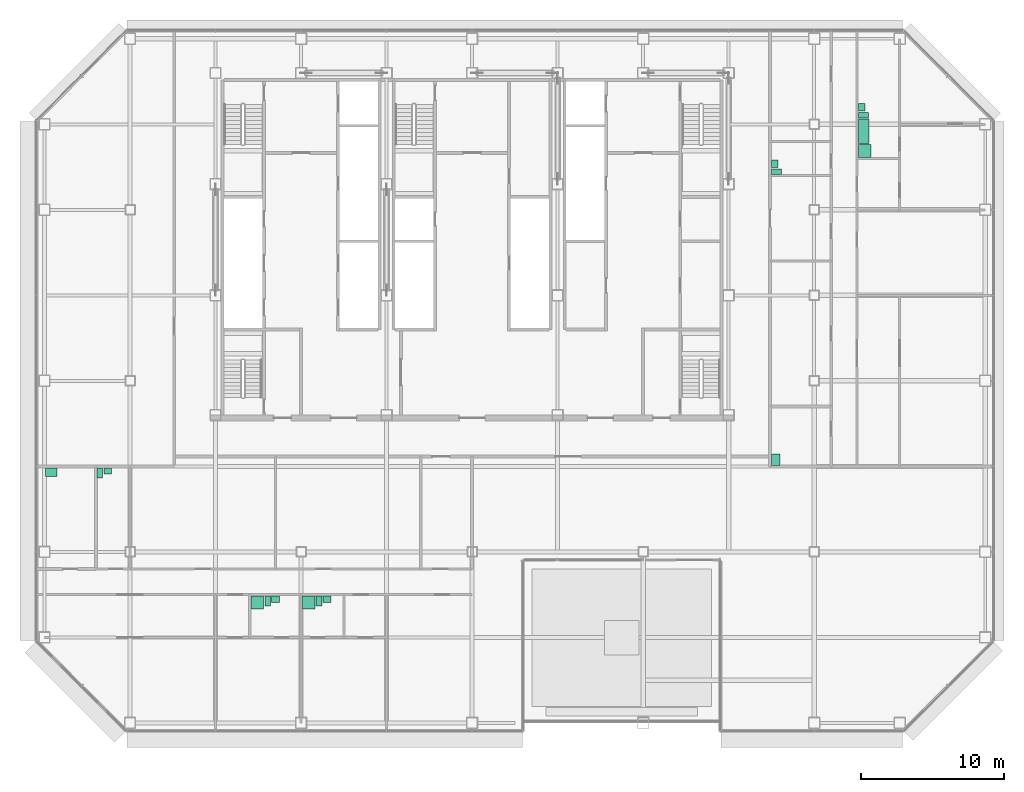
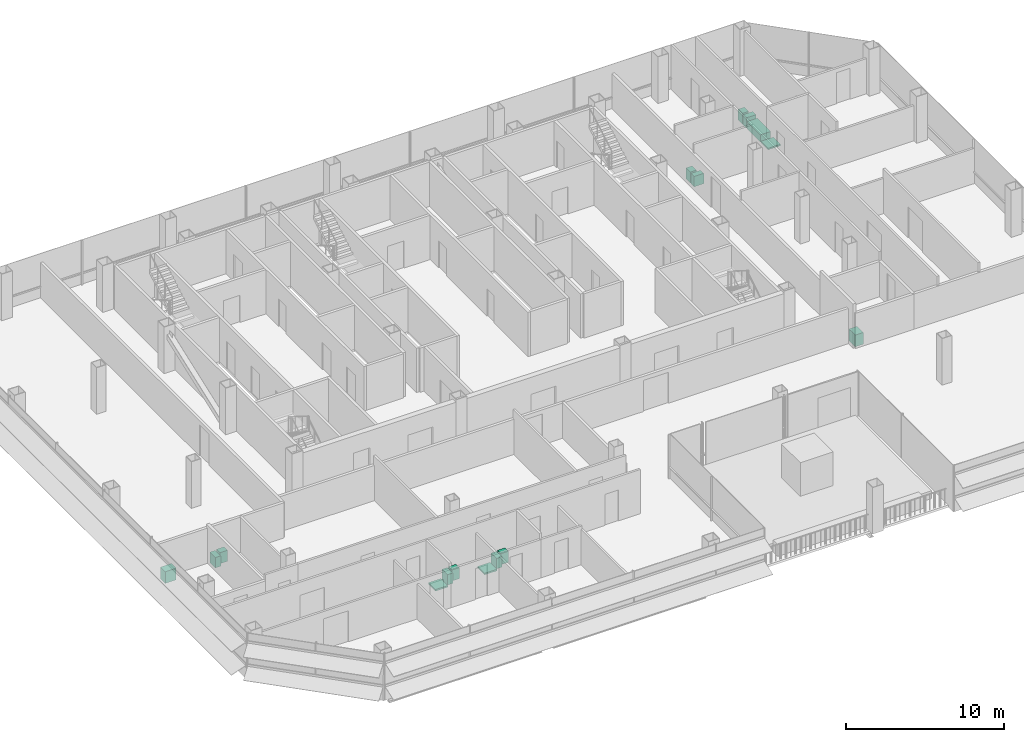
# One storey, part 25 of 26: 16 sanitary terminals.
"""IFC4 building model written with IfcOpenShell, lengths in metres."""

from ifc_helpers import new_model, si_unit, direction, frame, origin, origin_2d, place, context, subcontext, project, spatial, rectangle, extrude, element, save


model = new_model("IFC4")

# Units and contexts
model_context = context("Model", 3, precision=1e-05, world=origin(), true_north=direction((0.0, 1.0)))
body_context = subcontext(model_context, "Body", "Model", "MODEL_VIEW")
ifc_project = project(units=[si_unit("LENGTHUNIT", "METRE"), si_unit("AREAUNIT", "SQUARE_METRE"), si_unit("VOLUMEUNIT", "CUBIC_METRE"), si_unit("PLANEANGLEUNIT", "RADIAN"), si_unit("MASSUNIT", "GRAM", prefix="KILO")], contexts=[model_context])

# Site, building, storey
site_placement = place(None, origin())
site = spatial("IfcSite", under=ifc_project, at=site_placement, CompositionType="ELEMENT")
building_placement = place(site_placement, origin())
building = spatial("IfcBuilding", under=site, at=building_placement, Name="Sorahane Residences", CompositionType="ELEMENT")
storey_placement = place(building_placement, frame((0.0, 0.0, 103.39990234375)))
storey = spatial("IfcBuildingStorey", under=building, at=storey_placement, Name="L22", CompositionType="ELEMENT", Elevation=103.39990234375)

# Sanitary terminals
sanitary_terminal_1_placement = place(storey_placement, frame((8.929931640625, 8.449951171875, 0.0), z_axis=(0.0, 0.0, 1.0), x_axis=(1.0, 0.0, 0.0)))
element("IfcSanitaryTerminal", 1, at=sanitary_terminal_1_placement, inside=storey, Name="Shower tray En-suite bathroom 22A", PredefinedType="SHOWER", context=body_context, shape_type="SweptSolid", body=[
    extrude(rectangle(XDim=0.89990234375, YDim=0.89990234375, at=origin_2d()), origin(), (0.0, 0.0, 1.0), 0.1201171875),
])
sanitary_terminal_2_placement = place(storey_placement, frame((9.659912109375, 8.550048828125, 0.0), z_axis=(0.0, 0.0, 1.0), x_axis=(1.0, 0.0, 0.0)))
element("IfcSanitaryTerminal", 2, at=sanitary_terminal_2_placement, inside=storey, Name="WC pan En-suite bathroom 22A", PredefinedType="TOILETPAN", context=body_context, shape_type="SweptSolid", body=[
    extrude(rectangle(XDim=0.39990234375, YDim=0.699951171875, at=origin_2d()), origin(), (0.0, 0.0, 1.0), 0.800048828125),
])
sanitary_terminal_3_placement = place(storey_placement, frame((10.215087890625, 8.675048828125, 0.0), z_axis=(0.0, 0.0, 1.0), x_axis=(1.0, 0.0, 0.0)))
element("IfcSanitaryTerminal", 3, at=sanitary_terminal_3_placement, inside=storey, Name="Wash basin En-suite bathroom 22A", PredefinedType="WASHHANDBASIN", context=body_context, shape_type="SweptSolid", body=[
    extrude(rectangle(XDim=0.550048828125, YDim=0.449951171875, at=origin_2d()), origin(), (0.0, 0.0, 1.0), 0.85009765625),
])
sanitary_terminal_4_placement = place(storey_placement, frame((12.530029296875, 8.449951171875, 0.0), z_axis=(0.0, 0.0, 1.0), x_axis=(1.0, 0.0, 0.0)))
element("IfcSanitaryTerminal", 4, at=sanitary_terminal_4_placement, inside=storey, Name="Shower tray En-suite bathroom 22A-2", PredefinedType="SHOWER", context=body_context, shape_type="SweptSolid", body=[
    extrude(rectangle(XDim=0.89990234375, YDim=0.89990234375, at=origin_2d()), origin(), (0.0, 0.0, 1.0), 0.1201171875),
])
sanitary_terminal_5_placement = place(storey_placement, frame((13.260009765625, 8.550048828125, 0.0), z_axis=(0.0, 0.0, 1.0), x_axis=(1.0, 0.0, 0.0)))
element("IfcSanitaryTerminal", 5, at=sanitary_terminal_5_placement, inside=storey, Name="WC pan En-suite bathroom 22A-2", PredefinedType="TOILETPAN", context=body_context, shape_type="SweptSolid", body=[
    extrude(rectangle(XDim=0.39990234375, YDim=0.699951171875, at=origin_2d()), origin(), (0.0, 0.0, 1.0), 0.800048828125),
])
sanitary_terminal_6_placement = place(storey_placement, frame((13.81494140625, 8.675048828125, 0.0), z_axis=(0.0, 0.0, 1.0), x_axis=(1.0, 0.0, 0.0)))
element("IfcSanitaryTerminal", 6, at=sanitary_terminal_6_placement, inside=storey, Name="Wash basin En-suite bathroom 22A-2", PredefinedType="WASHHANDBASIN", context=body_context, shape_type="SweptSolid", body=[
    extrude(rectangle(XDim=0.550048828125, YDim=0.449951171875, at=origin_2d()), origin(), (0.0, 0.0, 1.0), 0.85009765625),
])
sanitary_terminal_7_placement = place(storey_placement, frame((-5.52001953125, 17.60009765625, 0.000244140625), z_axis=(0.0, 0.0, 1.0), x_axis=(1.0, 0.0, 0.0)))
element("IfcSanitaryTerminal", 7, at=sanitary_terminal_7_placement, inside=storey, Name="Kitchen sink Kitchen 22A", PredefinedType="SINK", context=body_context, shape_type="SweptSolid", body=[
    extrude(rectangle(XDim=0.800048828125, YDim=0.60009765625, at=origin_2d()), origin(), (0.0, 0.0, 1.0), 0.89990234375),
])
sanitary_terminal_8_placement = place(storey_placement, frame((-2.1201171875, 17.550048828125, 0.0), z_axis=(0.0, 0.0, 1.0), x_axis=(1.0, 0.0, 0.0)))
element("IfcSanitaryTerminal", 8, at=sanitary_terminal_8_placement, inside=storey, Name="WC pan Guest WC 22A", PredefinedType="TOILETPAN", context=body_context, shape_type="SweptSolid", body=[
    extrude(rectangle(XDim=0.39990234375, YDim=0.699951171875, at=origin_2d()), origin(), (0.0, 0.0, 1.0), 0.800048828125),
])
sanitary_terminal_9_placement = place(storey_placement, frame((-1.56494140625, 17.675048828125, 0.0), z_axis=(0.0, 0.0, 1.0), x_axis=(1.0, 0.0, 0.0)))
element("IfcSanitaryTerminal", 9, at=sanitary_terminal_9_placement, inside=storey, Name="Wash basin Guest WC 22A", PredefinedType="WASHHANDBASIN", context=body_context, shape_type="SweptSolid", body=[
    extrude(rectangle(XDim=0.550048828125, YDim=0.449951171875, at=origin_2d()), origin(), (0.0, 0.0, 1.0), 0.85009765625),
])
sanitary_terminal_10_placement = place(storey_placement, frame((51.550048828125, 40.1298828125, 0.0), z_axis=(0.0, 0.0, 1.0), x_axis=(0.0, 1.0, 0.0)))
element("IfcSanitaryTerminal", 10, at=sanitary_terminal_10_placement, inside=storey, Name="Shower tray En-suite bathroom 22C", PredefinedType="SHOWER", context=body_context, shape_type="SweptSolid", body=[
    extrude(rectangle(XDim=0.89990234375, YDim=0.89990234375, at=origin_2d()), origin(), (0.0, 0.0, 1.0), 0.1201171875),
])
sanitary_terminal_11_placement = place(storey_placement, frame((51.47509765625, 41.510009765625, 0.0), z_axis=(0.0, 0.0, 1.0), x_axis=(0.0, 1.0, 0.0)))
element("IfcSanitaryTerminal", 11, at=sanitary_terminal_11_placement, inside=storey, Name="Bath En-suite bathroom 22C", PredefinedType="BATH", context=body_context, shape_type="SweptSolid", body=[
    extrude(rectangle(XDim=1.699951171875, YDim=0.75, at=origin_2d()), origin(), (0.0, 0.0, 1.0), 0.56005859375),
])
sanitary_terminal_12_placement = place(storey_placement, frame((51.449951171875, 42.639892578125, 0.0), z_axis=(0.0, 0.0, 1.0), x_axis=(0.0, 1.0, 0.0)))
element("IfcSanitaryTerminal", 12, at=sanitary_terminal_12_placement, inside=storey, Name="WC pan En-suite bathroom 22C", PredefinedType="TOILETPAN", context=body_context, shape_type="SweptSolid", body=[
    extrude(rectangle(XDim=0.39990234375, YDim=0.699951171875, at=origin_2d()), origin(), (0.0, 0.0, 1.0), 0.800048828125),
])
sanitary_terminal_13_placement = place(storey_placement, frame((51.324951171875, 43.195068359375, 0.0), z_axis=(0.0, 0.0, 1.0), x_axis=(0.0, 1.0, 0.0)))
element("IfcSanitaryTerminal", 13, at=sanitary_terminal_13_placement, inside=storey, Name="Wash basin En-suite bathroom 22C", PredefinedType="WASHHANDBASIN", context=body_context, shape_type="SweptSolid", body=[
    extrude(rectangle(XDim=0.550048828125, YDim=0.449951171875, at=origin_2d()), origin(), (0.0, 0.0, 1.0), 0.85009765625),
])
sanitary_terminal_14_placement = place(storey_placement, frame((45.300048828125, 18.47998046875, 0.000244140625), z_axis=(0.0, 0.0, 1.0), x_axis=(0.0, 1.0, 0.0)))
element("IfcSanitaryTerminal", 14, at=sanitary_terminal_14_placement, inside=storey, Name="Kitchen sink Kitchen 22C", PredefinedType="SINK", context=body_context, shape_type="SweptSolid", body=[
    extrude(rectangle(XDim=0.800048828125, YDim=0.60009765625, at=origin_2d()), origin(), (0.0, 0.0, 1.0), 0.89990234375),
])
sanitary_terminal_15_placement = place(storey_placement, frame((45.35009765625, 38.679931640625, 0.0), z_axis=(0.0, 0.0, 1.0), x_axis=(0.0, 1.0, 0.0)))
element("IfcSanitaryTerminal", 15, at=sanitary_terminal_15_placement, inside=storey, Name="WC pan Powder room 22C", PredefinedType="TOILETPAN", context=body_context, shape_type="SweptSolid", body=[
    extrude(rectangle(XDim=0.39990234375, YDim=0.699951171875, at=origin_2d()), origin(), (0.0, 0.0, 1.0), 0.800048828125),
])
sanitary_terminal_16_placement = place(storey_placement, frame((45.22509765625, 39.235107421875, 0.0), z_axis=(0.0, 0.0, 1.0), x_axis=(0.0, 1.0, 0.0)))
element("IfcSanitaryTerminal", 16, at=sanitary_terminal_16_placement, inside=storey, Name="Wash basin Powder room 22C", PredefinedType="WASHHANDBASIN", context=body_context, shape_type="SweptSolid", body=[
    extrude(rectangle(XDim=0.550048828125, YDim=0.449951171875, at=origin_2d()), origin(), (0.0, 0.0, 1.0), 0.85009765625),
])

save(model, "model.ifc")
